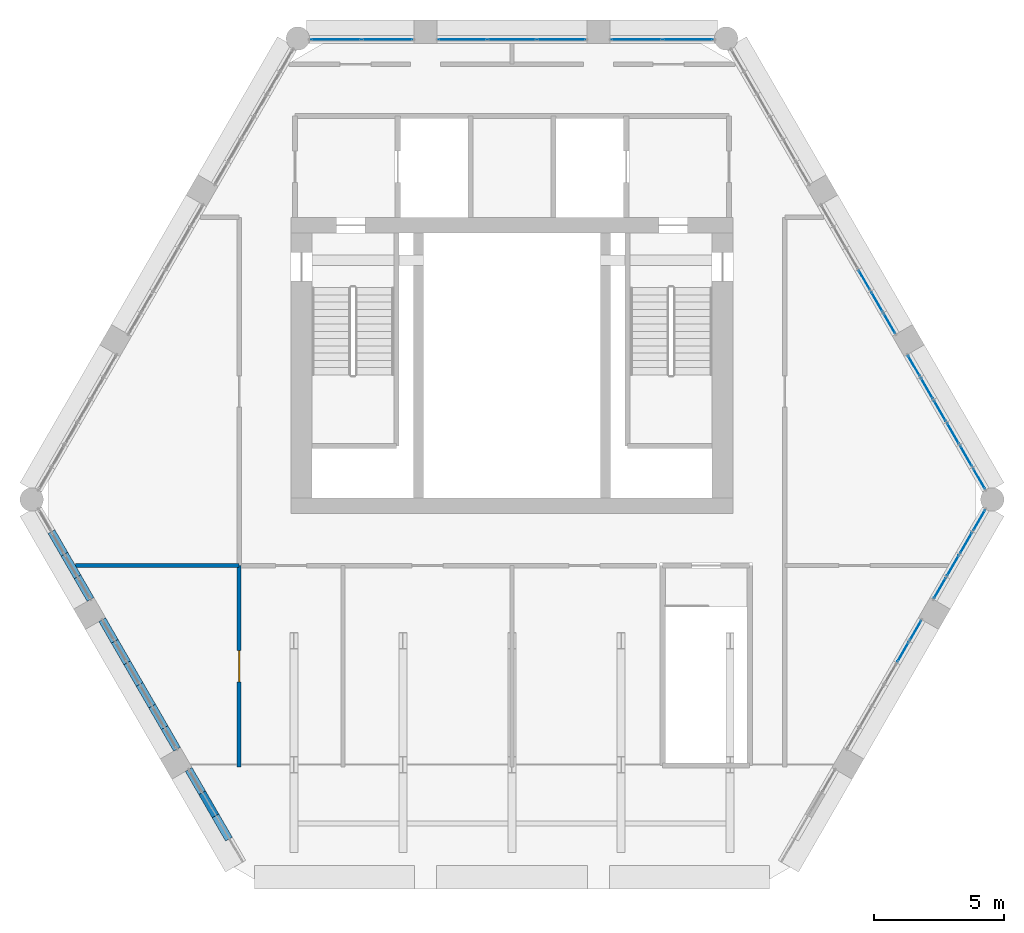
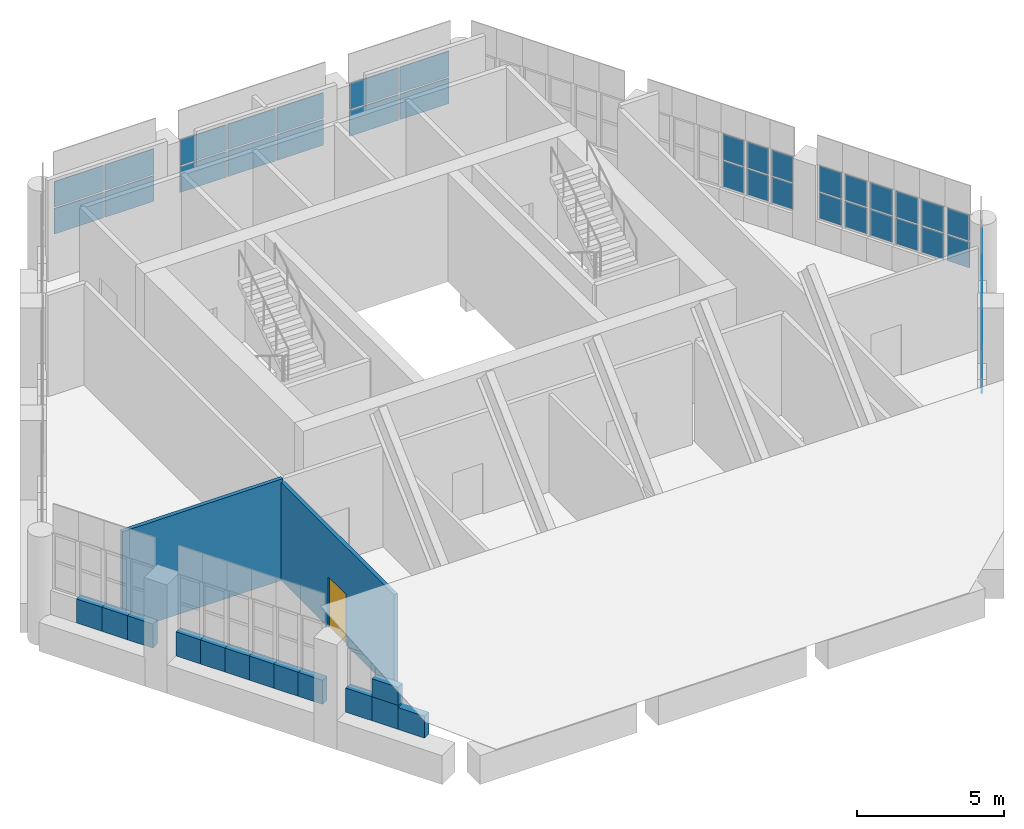
# One storey, part 19 of 25: 44 plates, 15 walls, 1 door, 1 opening, 18 elements without a shape of their own.
"""IFC4 building model written with IfcOpenShell, lengths in metres."""

from ifc_helpers import new_model, si_unit, direction, frame, frame_2d, origin, origin_2d, place, context, subcontext, project, spatial, rectangle, extrude, material, layer, layer_set, type_object, element, fill, aggregate, save


model = new_model("IFC4")

# Units and contexts
model_context = context("Model", 3, precision=1e-05, world=origin(), true_north=direction((0.0, 1.0)))
body_context = subcontext(model_context, "Body", "Model", "MODEL_VIEW")
ifc_project = project(units=[si_unit("LENGTHUNIT", "METRE"), si_unit("AREAUNIT", "SQUARE_METRE"), si_unit("VOLUMEUNIT", "CUBIC_METRE"), si_unit("PLANEANGLEUNIT", "RADIAN"), si_unit("MASSUNIT", "GRAM", prefix="KILO")], contexts=[model_context])

# Site, building, storey
site_placement = place(None, origin())
site = spatial("IfcSite", under=ifc_project, at=site_placement, CompositionType="ELEMENT")
building_placement = place(site_placement, origin())
building = spatial("IfcBuilding", under=site, at=building_placement, Name="Ostrander Bayou Hotel Tower", CompositionType="ELEMENT")
storey_placement = place(building_placement, frame((0.0, 0.0, 275.0)))
storey = spatial("IfcBuildingStorey", under=building, at=storey_placement, Name="L68", CompositionType="ELEMENT", Elevation=275.0)

# Curtain wall, plates
ifc_material_1 = material(Name="Aluminium and clear glass", Category="aluminium")
curtain_wall_type = type_object("IfcCurtainWallType", Name="CW-CROWN glazed wall", PredefinedType="NOTDEFINED", material=ifc_material_1)
curtain_wall_1_placement = place(storey_placement, origin())
curtain_wall_1 = element("IfcCurtainWall", 1, at=curtain_wall_1_placement, inside=storey, type_object=curtain_wall_type, Name="CW-CROWN L68:N-1", PredefinedType="NOTDEFINED")
ifc_material_2 = material(Name="Clear laminated glass", Category="glass")
ifc_layer_1 = layer(ifc_material_2, 0.028076171875)
ifc_layer_set_1 = layer_set([ifc_layer_1], Name="CW-CR glazing panel 28 mm")
plate_type = type_object("IfcPlateType", Name="CW-CR glazing panel 28 mm", PredefinedType="CURTAIN_PANEL", material=ifc_layer_set_1)
plate_1_placement = place(storey_placement, frame((6.77685546875, 16.550048828125, 1.06005859375), z_axis=(0.0, 0.0, 1.0), x_axis=(-1.0, 0.0, 0.0)))
plate_1 = element("IfcPlate", 2, at=plate_1_placement, type_object=plate_type, Name="CW-CROWN panel 1.1", PredefinedType="CURTAIN_PANEL", context=body_context, shape_type="SweptSolid", body=[
    extrude(rectangle(XDim=1.918212890625, YDim=0.028076171875, at=origin_2d()), origin(), (0.0, 0.0, 1.0), 1.06005859375),
])
plate_2_placement = place(storey_placement, frame((6.77685546875, 16.550048828125, 2.179931640625), z_axis=(0.0, 0.0, 1.0), x_axis=(-1.0, 0.0, 0.0)))
plate_2 = element("IfcPlate", 3, at=plate_2_placement, type_object=plate_type, Name="CW-CROWN panel 1.2", PredefinedType="CURTAIN_PANEL", context=body_context, shape_type="SweptSolid", body=[
    extrude(rectangle(XDim=1.918212890625, YDim=0.028076171875, at=origin_2d()), origin(), (0.0, 0.0, 1.0), 1.06005859375),
])
plate_3_placement = place(storey_placement, frame((4.798583984375, 16.550048828125, 1.06005859375), z_axis=(0.0, 0.0, 1.0), x_axis=(-1.0, 0.0, 0.0)))
plate_3 = element("IfcPlate", 4, at=plate_3_placement, type_object=plate_type, Name="CW-CROWN panel 2.1", PredefinedType="CURTAIN_PANEL", context=body_context, shape_type="SweptSolid", body=[
    extrude(rectangle(XDim=1.918212890625, YDim=0.028076171875, at=origin_2d()), origin(), (0.0, 0.0, 1.0), 1.06005859375),
])
plate_4_placement = place(storey_placement, frame((4.798583984375, 16.550048828125, 2.179931640625), z_axis=(0.0, 0.0, 1.0), x_axis=(-1.0, 0.0, 0.0)))
plate_4 = element("IfcPlate", 5, at=plate_4_placement, type_object=plate_type, Name="CW-CROWN panel 2.2", PredefinedType="CURTAIN_PANEL", context=body_context, shape_type="SweptSolid", body=[
    extrude(rectangle(XDim=1.918212890625, YDim=0.028076171875, at=origin_2d()), origin(), (0.0, 0.0, 1.0), 1.06005859375),
])
aggregate(curtain_wall_1, [plate_1, plate_2, plate_3, plate_4])

curtain_wall_2_placement = place(storey_placement, origin())
curtain_wall_2 = element("IfcCurtainWall", 6, at=curtain_wall_2_placement, inside=storey, type_object=curtain_wall_type, Name="CW-CROWN L68:N-2", PredefinedType="NOTDEFINED")
plate_5_placement = place(storey_placement, frame((1.904541015625, 16.550048828125, 1.06005859375), z_axis=(0.0, 0.0, 1.0), x_axis=(-1.0, 0.0, 0.0)))
plate_5 = element("IfcPlate", 7, at=plate_5_placement, type_object=plate_type, Name="CW-CROWN panel 1.1", PredefinedType="CURTAIN_PANEL", context=body_context, shape_type="SweptSolid", body=[
    extrude(rectangle(XDim=1.82958984375, YDim=0.028076171875, at=origin_2d()), origin(), (0.0, 0.0, 1.0), 1.06005859375),
])
plate_6_placement = place(storey_placement, frame((1.904541015625, 16.550048828125, 2.179931640625), z_axis=(0.0, 0.0, 1.0), x_axis=(-1.0, 0.0, 0.0)))
plate_6 = element("IfcPlate", 8, at=plate_6_placement, type_object=plate_type, Name="CW-CROWN panel 1.2", PredefinedType="CURTAIN_PANEL", context=body_context, shape_type="SweptSolid", body=[
    extrude(rectangle(XDim=1.82958984375, YDim=0.028076171875, at=origin_2d()), origin(), (0.0, 0.0, 1.0), 1.06005859375),
])
plate_7_placement = place(storey_placement, frame((0.0, 16.550048828125, 1.06005859375), z_axis=(0.0, 0.0, 1.0), x_axis=(-1.0, 0.0, 0.0)))
plate_7 = element("IfcPlate", 9, at=plate_7_placement, type_object=plate_type, Name="CW-CROWN panel 2.1", PredefinedType="CURTAIN_PANEL", context=body_context, shape_type="SweptSolid", body=[
    extrude(rectangle(XDim=1.859619140625, YDim=0.028076171875, at=origin_2d()), origin(), (0.0, 0.0, 1.0), 1.06005859375),
])
plate_8_placement = place(storey_placement, frame((0.0, 16.550048828125, 2.179931640625), z_axis=(0.0, 0.0, 1.0), x_axis=(-1.0, 0.0, 0.0)))
plate_8 = element("IfcPlate", 10, at=plate_8_placement, type_object=plate_type, Name="CW-CROWN panel 2.2", PredefinedType="CURTAIN_PANEL", context=body_context, shape_type="SweptSolid", body=[
    extrude(rectangle(XDim=1.859619140625, YDim=0.028076171875, at=origin_2d()), origin(), (0.0, 0.0, 1.0), 1.06005859375),
])
plate_9_placement = place(storey_placement, frame((-1.904541015625, 16.550048828125, 1.06005859375), z_axis=(0.0, 0.0, 1.0), x_axis=(-1.0, 0.0, 0.0)))
plate_9 = element("IfcPlate", 11, at=plate_9_placement, type_object=plate_type, Name="CW-CROWN panel 3.1", PredefinedType="CURTAIN_PANEL", context=body_context, shape_type="SweptSolid", body=[
    extrude(rectangle(XDim=1.82958984375, YDim=0.028076171875, at=origin_2d()), origin(), (0.0, 0.0, 1.0), 1.06005859375),
])
plate_10_placement = place(storey_placement, frame((-1.904541015625, 16.550048828125, 2.179931640625), z_axis=(0.0, 0.0, 1.0), x_axis=(-1.0, 0.0, 0.0)))
plate_10 = element("IfcPlate", 12, at=plate_10_placement, type_object=plate_type, Name="CW-CROWN panel 3.2", PredefinedType="CURTAIN_PANEL", context=body_context, shape_type="SweptSolid", body=[
    extrude(rectangle(XDim=1.82958984375, YDim=0.028076171875, at=origin_2d()), origin(), (0.0, 0.0, 1.0), 1.06005859375),
])
aggregate(curtain_wall_2, [plate_5, plate_6, plate_7, plate_8, plate_9, plate_10])

curtain_wall_3_placement = place(storey_placement, origin())
curtain_wall_3 = element("IfcCurtainWall", 13, at=curtain_wall_3_placement, inside=storey, type_object=curtain_wall_type, Name="CW-CROWN L68:N-3", PredefinedType="NOTDEFINED")
plate_11_placement = place(storey_placement, frame((-4.798583984375, 16.550048828125, 1.06005859375), z_axis=(0.0, 0.0, 1.0), x_axis=(-1.0, 0.0, 0.0)))
plate_11 = element("IfcPlate", 14, at=plate_11_placement, type_object=plate_type, Name="CW-CROWN panel 1.1", PredefinedType="CURTAIN_PANEL", context=body_context, shape_type="SweptSolid", body=[
    extrude(rectangle(XDim=1.918212890625, YDim=0.028076171875, at=origin_2d()), origin(), (0.0, 0.0, 1.0), 1.06005859375),
])
plate_12_placement = place(storey_placement, frame((-4.798583984375, 16.550048828125, 2.179931640625), z_axis=(0.0, 0.0, 1.0), x_axis=(-1.0, 0.0, 0.0)))
plate_12 = element("IfcPlate", 15, at=plate_12_placement, type_object=plate_type, Name="CW-CROWN panel 1.2", PredefinedType="CURTAIN_PANEL", context=body_context, shape_type="SweptSolid", body=[
    extrude(rectangle(XDim=1.918212890625, YDim=0.028076171875, at=origin_2d()), origin(), (0.0, 0.0, 1.0), 1.06005859375),
])
plate_13_placement = place(storey_placement, frame((-6.77685546875, 16.550048828125, 1.06005859375), z_axis=(0.0, 0.0, 1.0), x_axis=(-1.0, 0.0, 0.0)))
plate_13 = element("IfcPlate", 16, at=plate_13_placement, type_object=plate_type, Name="CW-CROWN panel 2.1", PredefinedType="CURTAIN_PANEL", context=body_context, shape_type="SweptSolid", body=[
    extrude(rectangle(XDim=1.918212890625, YDim=0.028076171875, at=origin_2d()), origin(), (0.0, 0.0, 1.0), 1.06005859375),
])
plate_14_placement = place(storey_placement, frame((-6.77685546875, 16.550048828125, 2.179931640625), z_axis=(0.0, 0.0, 1.0), x_axis=(-1.0, 0.0, 0.0)))
plate_14 = element("IfcPlate", 17, at=plate_14_placement, type_object=plate_type, Name="CW-CROWN panel 2.2", PredefinedType="CURTAIN_PANEL", context=body_context, shape_type="SweptSolid", body=[
    extrude(rectangle(XDim=1.918212890625, YDim=0.028076171875, at=origin_2d()), origin(), (0.0, 0.0, 1.0), 1.06005859375),
])
aggregate(curtain_wall_3, [plate_11, plate_12, plate_13, plate_14])

curtain_wall_4_placement = place(storey_placement, origin())
curtain_wall_4 = element("IfcCurtainWall", 18, at=curtain_wall_4_placement, inside=storey, type_object=curtain_wall_type, Name="CW-CROWN L68:SE-2-5", PredefinedType="NOTDEFINED")
plate_15_placement = place(storey_placement, frame((15.052490234375, -7.0283203125, 1.06005859375), z_axis=(0.0, 0.0, 1.0), x_axis=(0.500005045044, 0.866022491007, 0.0)))
plate_15 = element("IfcPlate", 19, at=plate_15_placement, type_object=plate_type, Name="CW-CROWN panel 1.1", PredefinedType="CURTAIN_PANEL", context=body_context, shape_type="SweptSolid", body=[
    extrude(rectangle(XDim=0.83984375, YDim=0.028076171875, at=origin_2d()), origin(), (0.0, 0.0, 1.0), 1.06005859375),
])
plate_16_placement = place(storey_placement, frame((15.052490234375, -7.0283203125, 2.179931640625), z_axis=(0.0, 0.0, 1.0), x_axis=(0.500005045044, 0.866022491007, 0.0)))
plate_16 = element("IfcPlate", 20, at=plate_16_placement, type_object=plate_type, Name="CW-CROWN panel 1.2", PredefinedType="CURTAIN_PANEL", context=body_context, shape_type="SweptSolid", body=[
    extrude(rectangle(XDim=0.83984375, YDim=0.028076171875, at=origin_2d()), origin(), (0.0, 0.0, 1.0), 1.06005859375),
])
aggregate(curtain_wall_4, [plate_15, plate_16])

curtain_wall_5_placement = place(storey_placement, origin())
curtain_wall_5 = element("IfcCurtainWall", 21, at=curtain_wall_5_placement, inside=storey, type_object=curtain_wall_type, Name="CW-CROWN L68:SE-2-6", PredefinedType="NOTDEFINED")
plate_17_placement = place(storey_placement, frame((15.532470703125, -6.197021484375, 1.06005859375), z_axis=(0.0, 0.0, 1.0), x_axis=(0.500005045044, 0.866022491007, 0.0)))
plate_17 = element("IfcPlate", 22, at=plate_17_placement, type_object=plate_type, Name="CW-CROWN panel 1.1", PredefinedType="CURTAIN_PANEL", context=body_context, shape_type="SweptSolid", body=[
    extrude(rectangle(XDim=0.83984375, YDim=0.028076171875, at=origin_2d()), origin(), (0.0, 0.0, 1.0), 1.06005859375),
])
plate_18_placement = place(storey_placement, frame((15.532470703125, -6.197021484375, 2.179931640625), z_axis=(0.0, 0.0, 1.0), x_axis=(0.500005045044, 0.866022491007, 0.0)))
plate_18 = element("IfcPlate", 23, at=plate_18_placement, type_object=plate_type, Name="CW-CROWN panel 1.2", PredefinedType="CURTAIN_PANEL", context=body_context, shape_type="SweptSolid", body=[
    extrude(rectangle(XDim=0.83984375, YDim=0.028076171875, at=origin_2d()), origin(), (0.0, 0.0, 1.0), 1.06005859375),
])
aggregate(curtain_wall_5, [plate_17, plate_18])

curtain_wall_6_placement = place(storey_placement, origin())
curtain_wall_6 = element("IfcCurtainWall", 24, at=curtain_wall_6_placement, inside=storey, type_object=curtain_wall_type, Name="CW-CROWN L68:SE-3-1", PredefinedType="NOTDEFINED")
plate_19_placement = place(storey_placement, frame((16.473388671875, -4.5673828125, 1.06005859375), z_axis=(0.0, 0.0, 1.0), x_axis=(0.500007031615, 0.866021344042, 0.0)))
plate_19 = element("IfcPlate", 25, at=plate_19_placement, type_object=plate_type, Name="CW-CROWN panel 1.1", PredefinedType="CURTAIN_PANEL", context=body_context, shape_type="SweptSolid", body=[
    extrude(rectangle(XDim=0.8837890625, YDim=0.028076171875, at=origin_2d()), origin(), (0.0, 0.0, 1.0), 1.06005859375),
])
plate_20_placement = place(storey_placement, frame((16.473388671875, -4.5673828125, 2.179931640625), z_axis=(0.0, 0.0, 1.0), x_axis=(0.500007031615, 0.866021344042, 0.0)))
plate_20 = element("IfcPlate", 26, at=plate_20_placement, type_object=plate_type, Name="CW-CROWN panel 1.2", PredefinedType="CURTAIN_PANEL", context=body_context, shape_type="SweptSolid", body=[
    extrude(rectangle(XDim=0.8837890625, YDim=0.028076171875, at=origin_2d()), origin(), (0.0, 0.0, 1.0), 1.06005859375),
])
aggregate(curtain_wall_6, [plate_19, plate_20])

curtain_wall_7_placement = place(storey_placement, origin())
curtain_wall_7 = element("IfcCurtainWall", 27, at=curtain_wall_7_placement, inside=storey, type_object=curtain_wall_type, Name="CW-CROWN L68:SE-3-2", PredefinedType="NOTDEFINED")
plate_21_placement = place(storey_placement, frame((16.975341796875, -3.697998046875, 1.06005859375), z_axis=(0.0, 0.0, 1.0), x_axis=(0.499963896343, 0.866046247237, 0.0)))
plate_21 = element("IfcPlate", 28, at=plate_21_placement, type_object=plate_type, Name="CW-CROWN panel 1.1", PredefinedType="CURTAIN_PANEL", context=body_context, shape_type="SweptSolid", body=[
    extrude(rectangle(XDim=0.8837890625, YDim=0.028076171875, at=origin_2d()), origin(), (0.0, 0.0, 1.0), 1.06005859375),
])
plate_22_placement = place(storey_placement, frame((16.975341796875, -3.697998046875, 2.179931640625), z_axis=(0.0, 0.0, 1.0), x_axis=(0.499963896343, 0.866046247237, 0.0)))
plate_22 = element("IfcPlate", 29, at=plate_22_placement, type_object=plate_type, Name="CW-CROWN panel 1.2", PredefinedType="CURTAIN_PANEL", context=body_context, shape_type="SweptSolid", body=[
    extrude(rectangle(XDim=0.8837890625, YDim=0.028076171875, at=origin_2d()), origin(), (0.0, 0.0, 1.0), 1.06005859375),
])
aggregate(curtain_wall_7, [plate_21, plate_22])

curtain_wall_8_placement = place(storey_placement, origin())
curtain_wall_8 = element("IfcCurtainWall", 30, at=curtain_wall_8_placement, inside=storey, type_object=curtain_wall_type, Name="CW-CROWN L68:SE-3-3", PredefinedType="NOTDEFINED")
plate_23_placement = place(storey_placement, frame((17.47705078125, -2.82861328125, 1.06005859375), z_axis=(0.0, 0.0, 1.0), x_axis=(0.500007031615, 0.866021344042, 0.0)))
plate_23 = element("IfcPlate", 31, at=plate_23_placement, type_object=plate_type, Name="CW-CROWN panel 1.1", PredefinedType="CURTAIN_PANEL", context=body_context, shape_type="SweptSolid", body=[
    extrude(rectangle(XDim=0.8837890625, YDim=0.028076171875, at=origin_2d()), origin(), (0.0, 0.0, 1.0), 1.06005859375),
])
plate_24_placement = place(storey_placement, frame((17.47705078125, -2.82861328125, 2.179931640625), z_axis=(0.0, 0.0, 1.0), x_axis=(0.500007031615, 0.866021344042, 0.0)))
plate_24 = element("IfcPlate", 32, at=plate_24_placement, type_object=plate_type, Name="CW-CROWN panel 1.2", PredefinedType="CURTAIN_PANEL", context=body_context, shape_type="SweptSolid", body=[
    extrude(rectangle(XDim=0.8837890625, YDim=0.028076171875, at=origin_2d()), origin(), (0.0, 0.0, 1.0), 1.06005859375),
])
aggregate(curtain_wall_8, [plate_23, plate_24])

curtain_wall_9_placement = place(storey_placement, origin())
curtain_wall_9 = element("IfcCurtainWall", 33, at=curtain_wall_9_placement, inside=storey, type_object=curtain_wall_type, Name="CW-CROWN L68:SE-3-4", PredefinedType="NOTDEFINED")
plate_25_placement = place(storey_placement, frame((17.97900390625, -1.959228515625, 1.06005859375), z_axis=(0.0, 0.0, 1.0), x_axis=(0.499963896343, 0.866046247237, 0.0)))
plate_25 = element("IfcPlate", 34, at=plate_25_placement, type_object=plate_type, Name="CW-CROWN panel 1.1", PredefinedType="CURTAIN_PANEL", context=body_context, shape_type="SweptSolid", body=[
    extrude(rectangle(XDim=0.8837890625, YDim=0.028076171875, at=origin_2d()), origin(), (0.0, 0.0, 1.0), 1.06005859375),
])
plate_26_placement = place(storey_placement, frame((17.97900390625, -1.959228515625, 2.179931640625), z_axis=(0.0, 0.0, 1.0), x_axis=(0.499963896343, 0.866046247237, 0.0)))
plate_26 = element("IfcPlate", 35, at=plate_26_placement, type_object=plate_type, Name="CW-CROWN panel 1.2", PredefinedType="CURTAIN_PANEL", context=body_context, shape_type="SweptSolid", body=[
    extrude(rectangle(XDim=0.8837890625, YDim=0.028076171875, at=origin_2d()), origin(), (0.0, 0.0, 1.0), 1.06005859375),
])
aggregate(curtain_wall_9, [plate_25, plate_26])

curtain_wall_10_placement = place(storey_placement, origin())
curtain_wall_10 = element("IfcCurtainWall", 36, at=curtain_wall_10_placement, inside=storey, type_object=curtain_wall_type, Name="CW-CROWN L68:NE-1-1", PredefinedType="NOTDEFINED")
plate_27_placement = place(storey_placement, frame((17.979248046875, -0.35400390625, 1.06005859375), z_axis=(0.0, 0.0, 1.0), x_axis=(-0.500084907485, 0.865976376875, 0.0)))
plate_27 = element("IfcPlate", 37, at=plate_27_placement, type_object=plate_type, Name="CW-CROWN panel 1.1", PredefinedType="CURTAIN_PANEL", context=body_context, shape_type="SweptSolid", body=[
    extrude(rectangle(XDim=0.883056640625, YDim=0.028076171875, at=origin_2d()), origin(), (0.0, 0.0, 1.0), 1.06005859375),
])
plate_28_placement = place(storey_placement, frame((17.979248046875, -0.35400390625, 2.179931640625), z_axis=(0.0, 0.0, 1.0), x_axis=(-0.500084907485, 0.865976376875, 0.0)))
plate_28 = element("IfcPlate", 38, at=plate_28_placement, type_object=plate_type, Name="CW-CROWN panel 1.2", PredefinedType="CURTAIN_PANEL", context=body_context, shape_type="SweptSolid", body=[
    extrude(rectangle(XDim=0.883056640625, YDim=0.028076171875, at=origin_2d()), origin(), (0.0, 0.0, 1.0), 1.06005859375),
])
aggregate(curtain_wall_10, [plate_27, plate_28])

curtain_wall_11_placement = place(storey_placement, origin())
curtain_wall_11 = element("IfcCurtainWall", 39, at=curtain_wall_11_placement, inside=storey, type_object=curtain_wall_type, Name="CW-CROWN L68:NE-1-2", PredefinedType="NOTDEFINED")
plate_29_placement = place(storey_placement, frame((17.477783203125, 0.5146484375, 1.06005859375), z_axis=(0.0, 0.0, 1.0), x_axis=(-0.499966966783, 0.866044474681, 0.0)))
plate_29 = element("IfcPlate", 40, at=plate_29_placement, type_object=plate_type, Name="CW-CROWN panel 1.1", PredefinedType="CURTAIN_PANEL", context=body_context, shape_type="SweptSolid", body=[
    extrude(rectangle(XDim=0.883056640625, YDim=0.028076171875, at=origin_2d()), origin(), (0.0, 0.0, 1.0), 1.06005859375),
])
plate_30_placement = place(storey_placement, frame((17.477783203125, 0.5146484375, 2.179931640625), z_axis=(0.0, 0.0, 1.0), x_axis=(-0.499966966783, 0.866044474681, 0.0)))
plate_30 = element("IfcPlate", 41, at=plate_30_placement, type_object=plate_type, Name="CW-CROWN panel 1.2", PredefinedType="CURTAIN_PANEL", context=body_context, shape_type="SweptSolid", body=[
    extrude(rectangle(XDim=0.883056640625, YDim=0.028076171875, at=origin_2d()), origin(), (0.0, 0.0, 1.0), 1.06005859375),
])
aggregate(curtain_wall_11, [plate_29, plate_30])

curtain_wall_12_placement = place(storey_placement, origin())
curtain_wall_12 = element("IfcCurtainWall", 42, at=curtain_wall_12_placement, inside=storey, type_object=curtain_wall_type, Name="CW-CROWN L68:NE-1-3", PredefinedType="NOTDEFINED")
plate_31_placement = place(storey_placement, frame((16.976318359375, 1.38330078125, 1.06005859375), z_axis=(0.0, 0.0, 1.0), x_axis=(-0.499966966783, 0.866044474681, 0.0)))
plate_31 = element("IfcPlate", 43, at=plate_31_placement, type_object=plate_type, Name="CW-CROWN panel 1.1", PredefinedType="CURTAIN_PANEL", context=body_context, shape_type="SweptSolid", body=[
    extrude(rectangle(XDim=0.883056640625, YDim=0.028076171875, at=origin_2d()), origin(), (0.0, 0.0, 1.0), 1.06005859375),
])
plate_32_placement = place(storey_placement, frame((16.976318359375, 1.38330078125, 2.179931640625), z_axis=(0.0, 0.0, 1.0), x_axis=(-0.499966966783, 0.866044474681, 0.0)))
plate_32 = element("IfcPlate", 44, at=plate_32_placement, type_object=plate_type, Name="CW-CROWN panel 1.2", PredefinedType="CURTAIN_PANEL", context=body_context, shape_type="SweptSolid", body=[
    extrude(rectangle(XDim=0.883056640625, YDim=0.028076171875, at=origin_2d()), origin(), (0.0, 0.0, 1.0), 1.06005859375),
])
aggregate(curtain_wall_12, [plate_31, plate_32])

curtain_wall_13_placement = place(storey_placement, origin())
curtain_wall_13 = element("IfcCurtainWall", 45, at=curtain_wall_13_placement, inside=storey, type_object=curtain_wall_type, Name="CW-CROWN L68:NE-1-4", PredefinedType="NOTDEFINED")
plate_33_placement = place(storey_placement, frame((16.474853515625, 2.251953125, 1.06005859375), z_axis=(0.0, 0.0, 1.0), x_axis=(-0.500010136897, 0.866019551165, 0.0)))
plate_33 = element("IfcPlate", 46, at=plate_33_placement, type_object=plate_type, Name="CW-CROWN panel 1.1", PredefinedType="CURTAIN_PANEL", context=body_context, shape_type="SweptSolid", body=[
    extrude(rectangle(XDim=0.883056640625, YDim=0.028076171875, at=origin_2d()), origin(), (0.0, 0.0, 1.0), 1.06005859375),
])
plate_34_placement = place(storey_placement, frame((16.474853515625, 2.251953125, 2.179931640625), z_axis=(0.0, 0.0, 1.0), x_axis=(-0.500010136897, 0.866019551165, 0.0)))
plate_34 = element("IfcPlate", 47, at=plate_34_placement, type_object=plate_type, Name="CW-CROWN panel 1.2", PredefinedType="CURTAIN_PANEL", context=body_context, shape_type="SweptSolid", body=[
    extrude(rectangle(XDim=0.883056640625, YDim=0.028076171875, at=origin_2d()), origin(), (0.0, 0.0, 1.0), 1.06005859375),
])
aggregate(curtain_wall_13, [plate_33, plate_34])

curtain_wall_14_placement = place(storey_placement, origin())
curtain_wall_14 = element("IfcCurtainWall", 48, at=curtain_wall_14_placement, inside=storey, type_object=curtain_wall_type, Name="CW-CROWN L68:NE-1-5", PredefinedType="NOTDEFINED")
plate_35_placement = place(storey_placement, frame((15.97314453125, 3.12060546875, 1.06005859375), z_axis=(0.0, 0.0, 1.0), x_axis=(-0.50004173523, 0.866001306597, 0.0)))
plate_35 = element("IfcPlate", 49, at=plate_35_placement, type_object=plate_type, Name="CW-CROWN panel 1.1", PredefinedType="CURTAIN_PANEL", context=body_context, shape_type="SweptSolid", body=[
    extrude(rectangle(XDim=0.883056640625, YDim=0.028076171875, at=origin_2d()), origin(), (0.0, 0.0, 1.0), 1.06005859375),
])
plate_36_placement = place(storey_placement, frame((15.97314453125, 3.12060546875, 2.179931640625), z_axis=(0.0, 0.0, 1.0), x_axis=(-0.50004173523, 0.866001306597, 0.0)))
plate_36 = element("IfcPlate", 50, at=plate_36_placement, type_object=plate_type, Name="CW-CROWN panel 1.2", PredefinedType="CURTAIN_PANEL", context=body_context, shape_type="SweptSolid", body=[
    extrude(rectangle(XDim=0.883056640625, YDim=0.028076171875, at=origin_2d()), origin(), (0.0, 0.0, 1.0), 1.06005859375),
])
aggregate(curtain_wall_14, [plate_35, plate_36])

curtain_wall_15_placement = place(storey_placement, origin())
curtain_wall_15 = element("IfcCurtainWall", 51, at=curtain_wall_15_placement, inside=storey, type_object=curtain_wall_type, Name="CW-CROWN L68:NE-1-6", PredefinedType="NOTDEFINED")
plate_37_placement = place(storey_placement, frame((15.4716796875, 3.9892578125, 1.06005859375), z_axis=(0.0, 0.0, 1.0), x_axis=(-0.499966966783, 0.866044474681, 0.0)))
plate_37 = element("IfcPlate", 52, at=plate_37_placement, type_object=plate_type, Name="CW-CROWN panel 1.1", PredefinedType="CURTAIN_PANEL", context=body_context, shape_type="SweptSolid", body=[
    extrude(rectangle(XDim=0.883056640625, YDim=0.028076171875, at=origin_2d()), origin(), (0.0, 0.0, 1.0), 1.06005859375),
])
plate_38_placement = place(storey_placement, frame((15.4716796875, 3.9892578125, 2.179931640625), z_axis=(0.0, 0.0, 1.0), x_axis=(-0.499966966783, 0.866044474681, 0.0)))
plate_38 = element("IfcPlate", 53, at=plate_38_placement, type_object=plate_type, Name="CW-CROWN panel 1.2", PredefinedType="CURTAIN_PANEL", context=body_context, shape_type="SweptSolid", body=[
    extrude(rectangle(XDim=0.883056640625, YDim=0.028076171875, at=origin_2d()), origin(), (0.0, 0.0, 1.0), 1.06005859375),
])
aggregate(curtain_wall_15, [plate_37, plate_38])

curtain_wall_16_placement = place(storey_placement, origin())
curtain_wall_16 = element("IfcCurtainWall", 54, at=curtain_wall_16_placement, inside=storey, type_object=curtain_wall_type, Name="CW-CROWN L68:NE-2-1", PredefinedType="NOTDEFINED")
plate_39_placement = place(storey_placement, frame((14.531005859375, 5.61865234375, 1.06005859375), z_axis=(0.0, 0.0, 1.0), x_axis=(-0.500005045044, 0.866022491007, 0.0)))
plate_39 = element("IfcPlate", 55, at=plate_39_placement, type_object=plate_type, Name="CW-CROWN panel 1.1", PredefinedType="CURTAIN_PANEL", context=body_context, shape_type="SweptSolid", body=[
    extrude(rectangle(XDim=0.83984375, YDim=0.028076171875, at=origin_2d()), origin(), (0.0, 0.0, 1.0), 1.06005859375),
])
plate_40_placement = place(storey_placement, frame((14.531005859375, 5.61865234375, 2.179931640625), z_axis=(0.0, 0.0, 1.0), x_axis=(-0.500005045044, 0.866022491007, 0.0)))
plate_40 = element("IfcPlate", 56, at=plate_40_placement, type_object=plate_type, Name="CW-CROWN panel 1.2", PredefinedType="CURTAIN_PANEL", context=body_context, shape_type="SweptSolid", body=[
    extrude(rectangle(XDim=0.83984375, YDim=0.028076171875, at=origin_2d()), origin(), (0.0, 0.0, 1.0), 1.06005859375),
])
aggregate(curtain_wall_16, [plate_39, plate_40])

curtain_wall_17_placement = place(storey_placement, origin())
curtain_wall_17 = element("IfcCurtainWall", 57, at=curtain_wall_17_placement, inside=storey, type_object=curtain_wall_type, Name="CW-CROWN L68:NE-2-2", PredefinedType="NOTDEFINED")
plate_41_placement = place(storey_placement, frame((14.051025390625, 6.449951171875, 1.06005859375), z_axis=(0.0, 0.0, 1.0), x_axis=(-0.500005045044, 0.866022491007, 0.0)))
plate_41 = element("IfcPlate", 58, at=plate_41_placement, type_object=plate_type, Name="CW-CROWN panel 1.1", PredefinedType="CURTAIN_PANEL", context=body_context, shape_type="SweptSolid", body=[
    extrude(rectangle(XDim=0.83984375, YDim=0.028076171875, at=origin_2d()), origin(), (0.0, 0.0, 1.0), 1.06005859375),
])
plate_42_placement = place(storey_placement, frame((14.051025390625, 6.449951171875, 2.179931640625), z_axis=(0.0, 0.0, 1.0), x_axis=(-0.500005045044, 0.866022491007, 0.0)))
plate_42 = element("IfcPlate", 59, at=plate_42_placement, type_object=plate_type, Name="CW-CROWN panel 1.2", PredefinedType="CURTAIN_PANEL", context=body_context, shape_type="SweptSolid", body=[
    extrude(rectangle(XDim=0.83984375, YDim=0.028076171875, at=origin_2d()), origin(), (0.0, 0.0, 1.0), 1.06005859375),
])
aggregate(curtain_wall_17, [plate_41, plate_42])

curtain_wall_18_placement = place(storey_placement, origin())
curtain_wall_18 = element("IfcCurtainWall", 60, at=curtain_wall_18_placement, inside=storey, type_object=curtain_wall_type, Name="CW-CROWN L68:NE-2-3", PredefinedType="NOTDEFINED")
plate_43_placement = place(storey_placement, frame((13.571044921875, 7.28125, 1.06005859375), z_axis=(0.0, 0.0, 1.0), x_axis=(-0.499959932788, 0.866048535364, 0.0)))
plate_43 = element("IfcPlate", 61, at=plate_43_placement, type_object=plate_type, Name="CW-CROWN panel 1.1", PredefinedType="CURTAIN_PANEL", context=body_context, shape_type="SweptSolid", body=[
    extrude(rectangle(XDim=0.83984375, YDim=0.028076171875, at=origin_2d()), origin(), (0.0, 0.0, 1.0), 1.06005859375),
])
plate_44_placement = place(storey_placement, frame((13.571044921875, 7.28125, 2.179931640625), z_axis=(0.0, 0.0, 1.0), x_axis=(-0.499959932788, 0.866048535364, 0.0)))
plate_44 = element("IfcPlate", 62, at=plate_44_placement, type_object=plate_type, Name="CW-CROWN panel 1.2", PredefinedType="CURTAIN_PANEL", context=body_context, shape_type="SweptSolid", body=[
    extrude(rectangle(XDim=0.83984375, YDim=0.028076171875, at=origin_2d()), origin(), (0.0, 0.0, 1.0), 1.06005859375),
])
aggregate(curtain_wall_18, [plate_43, plate_44])

# Walls
ifc_material_3 = material(Name="Reconstituted stone on masonry backing", Category="masonry")
ifc_layer_2 = layer(ifc_material_3, 0.300048828125)
ifc_layer_set_2 = layer_set([ifc_layer_2], Name="NW1 north stone wall 300 mm")
wall_type_1 = type_object("IfcWallType", Name="NW1 north stone wall 300 mm", PredefinedType="SOLIDWALL", material=ifc_layer_set_2)
wall_1_placement = place(storey_placement, frame((-17.72802734375, -2.39404296875, 0.0), z_axis=(0.0, 0.0, 1.0), x_axis=(0.499933044277, -0.866064057238, 0.0)))
element("IfcWall", 63, at=wall_1_placement, inside=storey, type_object=wall_type_1, Name="NW1 L68 SW-1-2 sill", PredefinedType="SOLIDWALL", context=body_context, shape_type="SweptSolid", body=[
    extrude(rectangle(XDim=1.003662109375, YDim=0.300048828125, at=frame_2d((0.501953125, 0.0))), origin(), (0.0, 0.0, 1.0), 1.0),
])
wall_2_placement = place(storey_placement, frame((-17.226318359375, -3.26318359375, 0.0), z_axis=(0.0, 0.0, 1.0), x_axis=(0.499904868165, -0.866080321209, 0.0)))
element("IfcWall", 64, at=wall_2_placement, inside=storey, type_object=wall_type_1, Name="NW1 L68 SW-1-3 sill", PredefinedType="SOLIDWALL", context=body_context, shape_type="SweptSolid", body=[
    extrude(rectangle(XDim=1.004150390625, YDim=0.300048828125, at=frame_2d((0.501953125, 0.0))), origin(), (0.0, 0.0, 1.0), 1.0),
])
wall_3_placement = place(storey_placement, frame((-16.724365234375, -4.1328125, 0.0), z_axis=(0.0, 0.0, 1.0), x_axis=(0.500115484592, -0.865958718457, 0.0)))
element("IfcWall", 65, at=wall_3_placement, inside=storey, type_object=wall_type_1, Name="NW1 L68 SW-1-4 sill", PredefinedType="SOLIDWALL", context=body_context, shape_type="SweptSolid", body=[
    extrude(rectangle(XDim=1.003662109375, YDim=0.300048828125, at=frame_2d((0.501953125, 0.0))), origin(), (0.0, 0.0, 1.0), 1.0),
])
wall_4_placement = place(storey_placement, frame((-15.7724609375, -5.781494140625, 0.0), z_axis=(0.0, 0.0, 1.0), x_axis=(0.500133489192, -0.865948320045, 0.0)))
element("IfcWall", 66, at=wall_4_placement, inside=storey, type_object=wall_type_1, Name="NW1 L68 SW-2-1 sill", PredefinedType="SOLIDWALL", context=body_context, shape_type="SweptSolid", body=[
    extrude(rectangle(XDim=0.959716796875, YDim=0.300048828125, at=frame_2d((0.47998046875, 0.0))), origin(), (0.0, 0.0, 1.0), 1.0),
])
wall_5_placement = place(storey_placement, frame((-15.29248046875, -6.612548828125, 0.0), z_axis=(0.0, 0.0, 1.0), x_axis=(0.500023335103, -0.866011930837, 0.0)))
element("IfcWall", 67, at=wall_5_placement, inside=storey, type_object=wall_type_1, Name="NW1 L68 SW-2-2 sill", PredefinedType="SOLIDWALL", context=body_context, shape_type="SweptSolid", body=[
    extrude(rectangle(XDim=0.9599609375, YDim=0.300048828125, at=frame_2d((0.47998046875, 0.0))), origin(), (0.0, 0.0, 1.0), 1.0),
])
wall_6_placement = place(storey_placement, frame((-14.8125, -7.44384765625, 0.0), z_axis=(0.0, 0.0, 1.0), x_axis=(0.499942693199, -0.866058487353, 0.0)))
element("IfcWall", 68, at=wall_6_placement, inside=storey, type_object=wall_type_1, Name="NW1 L68 SW-2-3 sill", PredefinedType="SOLIDWALL", context=body_context, shape_type="SweptSolid", body=[
    extrude(rectangle(XDim=0.95947265625, YDim=0.300048828125, at=frame_2d((0.479736328125, 0.0))), origin(), (0.0, 0.0, 1.0), 1.0),
])
for number, where, z_axis, x_axis, name in (
    (69, (-14.332763671875, -8.27490234375, 0.0), (0.0, 0.0, 1.0), (0.500023335103, -0.866011930837, 0.0), "NW1 L68 SW-2-4 sill"),
    (70, (-13.852783203125, -9.106201171875, 0.0), (0.0, 0.0, 1.0), (0.500023335103, -0.866011930837, 0.0), "NW1 L68 SW-2-5 sill"),
):
    element("IfcWall", number, at=place(storey_placement, frame(where, z_axis=z_axis, x_axis=x_axis)), inside=storey, type_object=wall_type_1, Name=name, PredefinedType="SOLIDWALL", context=body_context, shape_type="SweptSolid", body=[
        extrude(rectangle(XDim=0.9599609375, YDim=0.300048828125, at=frame_2d((0.47998046875, 0.0))), origin(), (0.0, 0.0, 1.0), 1.0),
    ])
wall_7_placement = place(storey_placement, frame((-13.372802734375, -9.9375, 0.0), z_axis=(0.0, 0.0, 1.0), x_axis=(0.499942693199, -0.866058487353, 0.0)))
element("IfcWall", 71, at=wall_7_placement, inside=storey, type_object=wall_type_1, Name="NW1 L68 SW-2-6 sill", PredefinedType="SOLIDWALL", context=body_context, shape_type="SweptSolid", body=[
    extrude(rectangle(XDim=0.95947265625, YDim=0.300048828125, at=frame_2d((0.479736328125, 0.0))), origin(), (0.0, 0.0, 1.0), 1.0),
])
for number, where, z_axis, x_axis, name in (
    (72, (-12.443115234375, -11.548095703125, 0.0), (0.0, 0.0, 1.0), (0.500084376221, -0.86597668367, 0.0), "NW1 L68 SW-3-1 sill"),
    (73, (-11.92724609375, -12.44140625, 0.0), (0.0, 0.0, 1.0), (0.500084376221, -0.86597668367, 0.0), "NW1 L68 SW-3-2 sill"),
):
    element("IfcWall", number, at=place(storey_placement, frame(where, z_axis=z_axis, x_axis=x_axis)), inside=storey, type_object=wall_type_1, Name=name, PredefinedType="SOLIDWALL", context=body_context, shape_type="SweptSolid", body=[
        extrude(rectangle(XDim=1.031494140625, YDim=0.300048828125, at=frame_2d((0.515625, 0.0))), origin(), (0.0, 0.0, 1.0), 1.0),
    ])
wall_8_placement = place(storey_placement, frame((-11.92724609375, -12.44140625, 1.0), z_axis=(0.0, 0.0, 1.0), x_axis=(0.500084376221, -0.86597668367, 0.0)))
element("IfcWall", 74, at=wall_8_placement, inside=storey, type_object=wall_type_1, Name="NW1 L68 SW-3-2 infill", PredefinedType="SOLIDWALL", context=body_context, shape_type="SweptSolid", body=[
    extrude(rectangle(XDim=1.031494140625, YDim=0.300048828125, at=frame_2d((0.515625, 0.0))), origin(), (0.0, 0.0, 1.0), 0.74560546875),
])
wall_9_placement = place(storey_placement, frame((-11.411376953125, -13.334716796875, 0.0), z_axis=(0.0, 0.0, 1.0), x_axis=(0.499981900942, -0.866035853028, 0.0)))
element("IfcWall", 75, at=wall_9_placement, inside=storey, type_object=wall_type_1, Name="NW1 L68 SW-3-3 sill", PredefinedType="SOLIDWALL", context=body_context, shape_type="SweptSolid", body=[
    extrude(rectangle(XDim=1.03173828125, YDim=0.300048828125, at=frame_2d((0.515869140625, 0.0))), origin(), (0.0, 0.0, 1.0), 0.904052734375),
])
ifc_material_4 = material(Name="Gypsum board partition", Category="finish")
ifc_layer_3 = layer(ifc_material_4, 0.14990234375)
ifc_layer_set_3 = layer_set([ifc_layer_3], Name="PT7 riser wall 150 mm, 2 hour")
wall_type_2 = type_object("IfcWallType", Name="PT7 riser wall 150 mm, 2 hour", PredefinedType="PARTITIONING", material=ifc_layer_set_3)
wall_10_placement = place(storey_placement, frame((-16.7958984375, -3.699951171875, 0.0), z_axis=(0.0, 0.0, 1.0), x_axis=(1.0, 0.0, 0.0)))
element("IfcWall", 76, at=wall_10_placement, inside=storey, type_object=wall_type_2, Name="sw:L68:009", PredefinedType="PARTITIONING", context=body_context, shape_type="SweptSolid", body=[
    extrude(rectangle(XDim=6.2958984375, YDim=0.14990234375, at=frame_2d((3.14794921875, 0.0))), origin(), (0.0, 0.0, 1.0), 4.199951171875),
])

# Wall, opening, door
wall_11_placement = place(storey_placement, frame((-10.5, -11.454345703125, 0.0), z_axis=(0.0, 0.0, 1.0), x_axis=(0.0, 1.0, 0.0)))
wall_11 = element("IfcWall", 77, at=wall_11_placement, inside=storey, type_object=wall_type_2, Name="sw:L68:011", PredefinedType="PARTITIONING", context=body_context, shape_type="SweptSolid", body=[
    extrude(rectangle(XDim=7.75439453125, YDim=0.14990234375, at=frame_2d((3.877197265625, 0.0))), origin(), (0.0, 0.0, 1.0), 4.066650390625),
])
opening_placement = place(wall_11_placement, frame((3.277099609375, 0.0, 0.0)))
opening = element("IfcOpeningElement", 78, at=opening_placement, cuts=wall_11, Name="Opening T68-203", PredefinedType="OPENING", context=body_context, shape_type="SweptSolid", body=[
    extrude(rectangle(XDim=1.199951171875, YDim=2.10009765625, at=frame_2d((0.60009765625, 1.050048828125))), frame((0.0, 0.074951171875, 0.0), z_axis=(0.0, -1.0, 0.0), x_axis=(1.0, 0.0, 0.0)), (0.0, 0.0, 1.0), 0.14990234375),
])
ifc_material_5 = material(Name="Timber door leaf", Category="wood")
door_type = type_object("IfcDoorType", Name="D10 plant room door 1200 x 2100 mm, 1 hour", OperationType="SINGLE_SWING_LEFT", PredefinedType="DOOR", material=ifc_material_5)
door_placement = place(opening_placement, origin())
door = element("IfcDoor", 79, at=door_placement, inside=storey, type_object=door_type, Name="dr:L68:203", OperationType="SINGLE_SWING_LEFT", OverallHeight=2.10009765625, OverallWidth=1.199951171875, PredefinedType="DOOR", context=body_context, shape_type="SweptSolid", body=[
    extrude(rectangle(XDim=1.199951171875, YDim=2.10009765625, at=frame_2d((0.60009765625, 1.050048828125))), frame((0.0, 0.02490234375, 0.0), z_axis=(0.0, -1.0, 0.0), x_axis=(1.0, 0.0, 0.0)), (0.0, 0.0, 1.0), 0.050048828125),
])
fill(opening, door)

save(model, "model.ifc")
